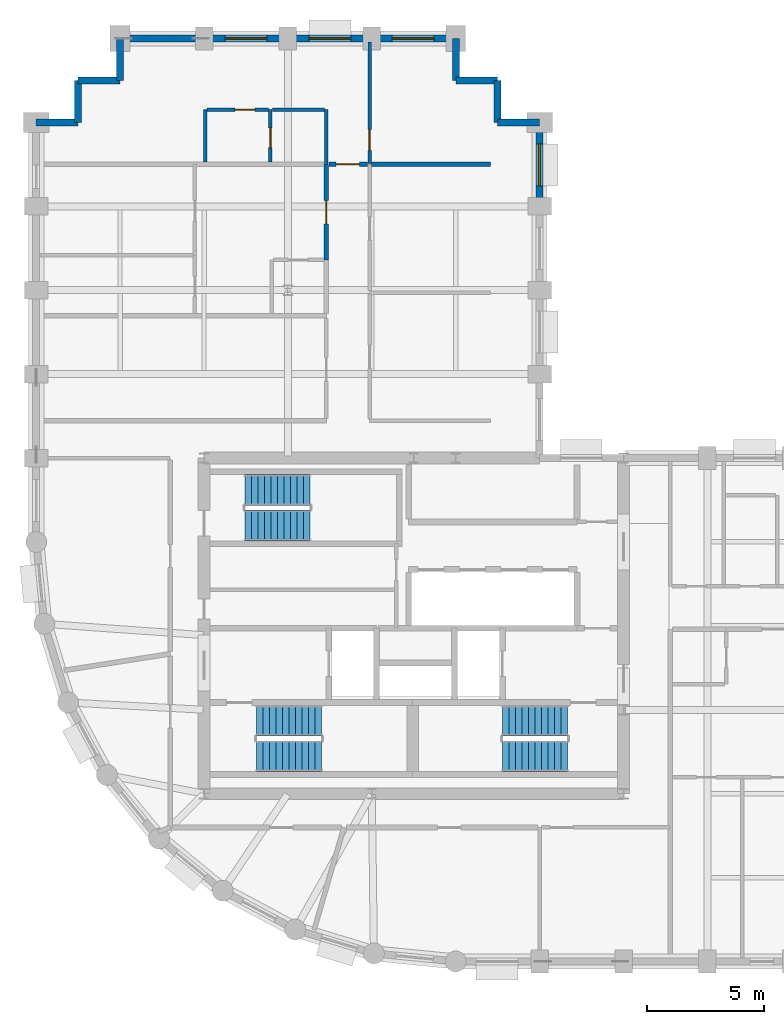
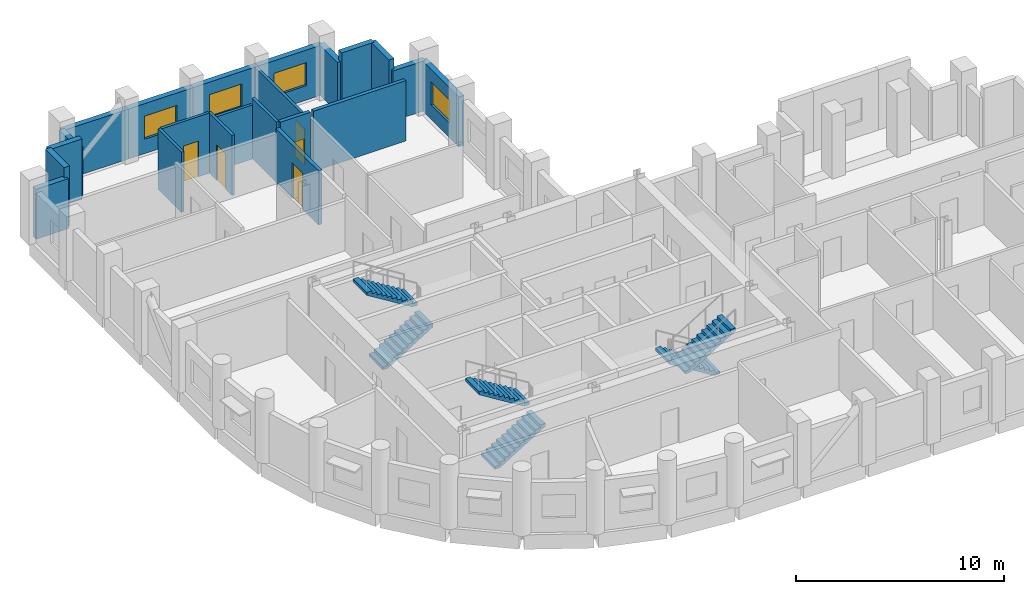
# One storey, part 7 of 9: 22 walls, 6 stair flights, 5 doors, 4 windows, 9 openings, 3 elements without a shape of their own.
"""IFC4 building model written with IfcOpenShell, lengths in metres."""

from ifc_helpers import new_model, si_unit, direction, frame, frame_2d, origin, place, context, subcontext, project, spatial, polyline, rectangle, outline, extrude, material, layer, layer_set, type_object, element, fill, aggregate, save


model = new_model("IFC4")

# Units and contexts
model_context = context("Model", 3, precision=1e-05, world=origin(), true_north=direction((0.0, 1.0)))
body_context = subcontext(model_context, "Body", "Model", "MODEL_VIEW")
ifc_project = project(units=[si_unit("LENGTHUNIT", "METRE"), si_unit("AREAUNIT", "SQUARE_METRE"), si_unit("VOLUMEUNIT", "CUBIC_METRE"), si_unit("PLANEANGLEUNIT", "RADIAN"), si_unit("MASSUNIT", "GRAM", prefix="KILO")], contexts=[model_context])

# Site, building, storey
site_placement = place(None, origin())
site = spatial("IfcSite", under=ifc_project, at=site_placement, CompositionType="ELEMENT")
building_placement = place(site_placement, origin())
building = spatial("IfcBuilding", under=site, at=building_placement, Name="Solnavia Interchange Tower", CompositionType="ELEMENT")
storey_placement = place(building_placement, frame((0.0, 0.0, 142.800048828125)))
storey = spatial("IfcBuildingStorey", under=building, at=storey_placement, Name="L35", CompositionType="ELEMENT", Elevation=142.800048828125)

# Wall, opening, door
ifc_material_1 = material(Name="Gypsum Acoustic Twin-Stud & Mineral Wool", Category="gypsum")
ifc_layer_1 = layer(ifc_material_1, 0.199951171875)
ifc_layer_set_1 = layer_set([ifc_layer_1], Name="Gypsum Acoustic Twin-Stud & Mineral Wool")
wall_type_1 = type_object("IfcWallType", Name="Wall-ApartmentParty-200", PredefinedType="PARTITIONING", material=ifc_layer_set_1)
wall_1_placement = place(storey_placement, frame((19.64990234375, 33.699951171875, 0.0), z_axis=(0.0, 0.0, 1.0), x_axis=(0.0, 1.0, 0.0)))
wall_1 = element("IfcWall", 1, at=wall_1_placement, inside=storey, type_object=wall_type_1, Name="PTW-L35-48 Interior partition wall", PredefinedType="PARTITIONING", context=body_context, shape_type="SweptSolid", body=[
    extrude(rectangle(XDim=4.10009765625, YDim=0.199951171875, at=frame_2d((2.050048828125, 0.0))), origin(), (0.0, 0.0, 1.0), 3.169921875),
])
opening_1_placement = place(wall_1_placement, frame((1.550048828125, 0.0, 0.0)))
opening_1 = element("IfcOpeningElement", 2, at=opening_1_placement, cuts=wall_1, Name="Opening DR-06", PredefinedType="OPENING", context=body_context, shape_type="SweptSolid", body=[
    extrude(rectangle(XDim=1.0, YDim=2.10009765625, at=frame_2d((0.5, 1.050048828125))), frame((0.0, 0.10986328125, 0.0), z_axis=(0.0, -1.0, 0.0), x_axis=(1.0, 0.0, 0.0)), (0.0, 0.0, 1.0), 0.219970703125),
])
ifc_material_2 = material(Name="Engineered Timber Acoustic Fire Door", Category="wood")
door_type_1 = type_object("IfcDoorType", Name="Door-FlatEntry-1000x2100", OperationType="SINGLE_SWING_LEFT", PredefinedType="DOOR", material=ifc_material_2)
door_1_placement = place(opening_1_placement, origin())
door_1 = element("IfcDoor", 3, at=door_1_placement, inside=storey, type_object=door_type_1, Name="DR-L35-23 Interior room door", OperationType="SINGLE_SWING_LEFT", OverallHeight=2.10009765625, OverallWidth=1.0, PredefinedType="DOOR", context=body_context, shape_type="SweptSolid", body=[
    extrude(rectangle(XDim=1.0, YDim=2.10009765625, at=frame_2d((0.5, 1.050048828125))), frame((0.0, 0.02490234375, 0.0), z_axis=(0.0, -1.0, 0.0), x_axis=(1.0, 0.0, 0.0)), (0.0, 0.0, 1.0), 0.050048828125),
])
fill(opening_1, door_1)

# Wall
wall_2_placement = place(storey_placement, frame((21.5791015625, 37.800048828125, 0.0), z_axis=(0.0, 0.0, 1.0), x_axis=(1.0, 0.0, 0.0)))
element("IfcWall", 4, at=wall_2_placement, inside=storey, type_object=wall_type_1, Name="PTW-L35-57 Interior partition wall", PredefinedType="PARTITIONING", context=body_context, shape_type="SweptSolid", body=[
    extrude(rectangle(XDim=5.120849609375, YDim=0.199951171875, at=frame_2d((2.560546875, 0.0))), origin(), (0.0, 0.0, 1.0), 3.534912109375),
])

# Wall, opening, door
wall_3_placement = place(storey_placement, frame((19.75390625, 37.800048828125, 0.0), z_axis=(0.0, 0.0, 1.0), x_axis=(1.0, 0.0, 0.0)))
wall_3 = element("IfcWall", 5, at=wall_3_placement, inside=storey, type_object=wall_type_1, Name="PTW-L35-58 Interior partition wall", PredefinedType="PARTITIONING", context=body_context, shape_type="SweptSolid", body=[
    extrude(rectangle(XDim=1.6669921875, YDim=0.199951171875, at=frame_2d((0.83349609375, 0.0))), origin(), (0.0, 0.0, 1.0), 3.534912109375),
])
opening_2_placement = place(wall_3_placement, frame((0.31396484375, 0.0, 0.0)))
opening_2 = element("IfcOpeningElement", 6, at=opening_2_placement, cuts=wall_3, Name="Opening DR-06", PredefinedType="OPENING", context=body_context, shape_type="SweptSolid", body=[
    extrude(rectangle(XDim=1.0, YDim=2.10009765625, at=frame_2d((0.5, 1.050048828125))), frame((0.0, 0.10986328125, 0.0), z_axis=(0.0, -1.0, 0.0), x_axis=(1.0, 0.0, 0.0)), (0.0, 0.0, 1.0), 0.219970703125),
])
door_2_placement = place(opening_2_placement, origin())
door_2 = element("IfcDoor", 7, at=door_2_placement, inside=storey, type_object=door_type_1, Name="DR-L35-28 Interior room door", OperationType="SINGLE_SWING_LEFT", OverallHeight=2.10009765625, OverallWidth=1.0, PredefinedType="DOOR", context=body_context, shape_type="SweptSolid", body=[
    extrude(rectangle(XDim=1.0, YDim=2.10009765625, at=frame_2d((0.5, 1.050048828125))), frame((0.0, 0.02490234375, 0.0), z_axis=(0.0, -1.0, 0.0), x_axis=(1.0, 0.0, 0.0)), (0.0, 0.0, 1.0), 0.050048828125),
])
fill(opening_2, door_2)

# Wall, opening, window
ifc_material_3 = material(Name="Concrete C40/50", Category="concrete")
ifc_layer_2 = layer(ifc_material_3, 0.300048828125)
ifc_layer_set_2 = layer_set([ifc_layer_2], Name="Concrete C40/50")
wall_type_2 = type_object("IfcWallType", Name="Wall-ExtSpandrel-300", PredefinedType="STANDARD", material=ifc_layer_set_2)
wall_4_placement = place(storey_placement, frame((28.800048828125, 39.60009765625, 0.0), z_axis=(0.0, 0.0, 1.0), x_axis=(0.0, -1.0, 0.0)))
wall_4 = element("IfcWall", 8, at=wall_4_placement, inside=storey, type_object=wall_type_2, Name="EXW-L35-33 Exterior precast spandrel wall", PredefinedType="STANDARD", context=body_context, shape_type="SweptSolid", body=[
    extrude(rectangle(XDim=3.60009765625, YDim=0.300048828125, at=frame_2d((1.800048828125, 0.0))), origin(), (0.0, 0.0, 1.0), 2.929931640625),
])
opening_3_placement = place(wall_4_placement, frame((0.925048828125, 0.0, 0.85009765625)))
opening_3 = element("IfcOpeningElement", 9, at=opening_3_placement, cuts=wall_4, Name="Opening WIN-02", PredefinedType="OPENING", context=body_context, shape_type="SweptSolid", body=[
    extrude(rectangle(XDim=1.800048828125, YDim=1.35009765625, at=frame_2d((0.89990234375, 0.675048828125))), frame((0.0, 0.16015625, 0.0), z_axis=(0.0, -1.0, 0.0), x_axis=(1.0, 0.0, 0.0)), (0.0, 0.0, 1.0), 0.320068359375),
])
ifc_material_4 = material(Name="Thermal-Break Aluminium & Low-E Glass", Category="aluminium")
window_type = type_object("IfcWindowType", Name="Window-Ribbon-1800x1350", PartitioningType="SINGLE_PANEL", PredefinedType="WINDOW", material=ifc_material_4)
window_1_placement = place(opening_3_placement, origin())
window_1 = element("IfcWindow", 10, at=window_1_placement, inside=storey, type_object=window_type, Name="WIN-L35-33 Facade ribbon window", OverallHeight=1.35009765625, OverallWidth=1.800048828125, PartitioningType="SINGLE_PANEL", PredefinedType="WINDOW", context=body_context, shape_type="SweptSolid", body=[
    extrude(rectangle(XDim=1.800048828125, YDim=1.35009765625, at=frame_2d((0.89990234375, 0.675048828125))), frame((0.0, 0.030029296875, 0.0), z_axis=(0.0, -1.0, 0.0), x_axis=(1.0, 0.0, 0.0)), (0.0, 0.0, 1.0), 0.06005859375),
])
fill(opening_3, window_1)

# Walls
wall_5_placement = place(storey_placement, frame((27.0, 39.60009765625, 0.0), z_axis=(0.0, 0.0, 1.0), x_axis=(1.0, 0.0, 0.0)))
element("IfcWall", 11, at=wall_5_placement, inside=storey, type_object=wall_type_2, Name="EXW-L35-34 Exterior precast spandrel wall", PredefinedType="STANDARD", context=body_context, shape_type="SweptSolid", body=[
    extrude(rectangle(XDim=1.800048828125, YDim=0.300048828125, at=frame_2d((0.89990234375, 0.0))), origin(), (0.0, 0.0, 1.0), 2.929931640625),
])
wall_6_placement = place(storey_placement, frame((27.0, 39.60009765625, 0.0), z_axis=(0.0, 0.0, 1.0), x_axis=(0.0, 1.0, 0.0)))
element("IfcWall", 12, at=wall_6_placement, inside=storey, type_object=wall_type_2, Name="EXW-L35-35 Exterior precast spandrel wall", PredefinedType="STANDARD", context=body_context, shape_type="SweptSolid", body=[
    extrude(rectangle(XDim=1.7998046875, YDim=0.300048828125, at=frame_2d((0.89990234375, 0.0))), origin(), (0.0, 0.0, 1.0), 3.534912109375),
])
wall_7_placement = place(storey_placement, frame((25.199951171875, 41.39990234375, 0.0), z_axis=(0.0, 0.0, 1.0), x_axis=(1.0, 0.0, 0.0)))
element("IfcWall", 13, at=wall_7_placement, inside=storey, type_object=wall_type_2, Name="EXW-L35-36 Exterior precast spandrel wall", PredefinedType="STANDARD", context=body_context, shape_type="SweptSolid", body=[
    extrude(rectangle(XDim=1.800048828125, YDim=0.300048828125, at=frame_2d((0.89990234375, 0.0))), origin(), (0.0, 0.0, 1.0), 3.534912109375),
])
wall_8_placement = place(storey_placement, frame((25.199951171875, 41.39990234375, 0.0), z_axis=(0.0, 0.0, 1.0), x_axis=(0.0, 1.0, 0.0)))
element("IfcWall", 14, at=wall_8_placement, inside=storey, type_object=wall_type_2, Name="EXW-L35-37 Exterior precast spandrel wall", PredefinedType="STANDARD", context=body_context, shape_type="SweptSolid", body=[
    extrude(rectangle(XDim=1.800048828125, YDim=0.300048828125, at=frame_2d((0.89990234375, 0.0))), origin(), (0.0, 0.0, 1.0), 2.929931640625),
])

# Wall, opening, window
wall_9_placement = place(storey_placement, frame((21.60009765625, 43.199951171875, 0.0), z_axis=(0.0, 0.0, 1.0), x_axis=(1.0, 0.0, 0.0)))
wall_9 = element("IfcWall", 15, at=wall_9_placement, inside=storey, type_object=wall_type_2, Name="EXW-L35-38 Exterior precast spandrel wall", PredefinedType="STANDARD", context=body_context, shape_type="SweptSolid", body=[
    extrude(rectangle(XDim=3.599853515625, YDim=0.300048828125, at=frame_2d((1.7998046875, 0.0))), origin(), (0.0, 0.0, 1.0), 2.929931640625),
])
opening_4_placement = place(wall_9_placement, frame((0.875, 0.0, 0.85009765625)))
opening_4 = element("IfcOpeningElement", 16, at=opening_4_placement, cuts=wall_9, Name="Opening WIN-02", PredefinedType="OPENING", context=body_context, shape_type="SweptSolid", body=[
    extrude(rectangle(XDim=1.800048828125, YDim=1.35009765625, at=frame_2d((0.89990234375, 0.675048828125))), frame((0.0, 0.16015625, 0.0), z_axis=(0.0, -1.0, 0.0), x_axis=(1.0, 0.0, 0.0)), (0.0, 0.0, 1.0), 0.320068359375),
])
window_2_placement = place(opening_4_placement, origin())
window_2 = element("IfcWindow", 17, at=window_2_placement, inside=storey, type_object=window_type, Name="WIN-L35-38 Facade ribbon window", OverallHeight=1.35009765625, OverallWidth=1.800048828125, PartitioningType="SINGLE_PANEL", PredefinedType="WINDOW", context=body_context, shape_type="SweptSolid", body=[
    extrude(rectangle(XDim=1.800048828125, YDim=1.35009765625, at=frame_2d((0.89990234375, 0.675048828125))), frame((0.0, 0.030029296875, 0.0), z_axis=(0.0, -1.0, 0.0), x_axis=(1.0, 0.0, 0.0)), (0.0, 0.0, 1.0), 0.06005859375),
])
fill(opening_4, window_2)

wall_10_placement = place(storey_placement, frame((18.0, 43.199951171875, 0.0), z_axis=(0.0, 0.0, 1.0), x_axis=(1.0, 0.0, 0.0)))
wall_10 = element("IfcWall", 18, at=wall_10_placement, inside=storey, type_object=wall_type_2, Name="EXW-L35-39 Exterior precast spandrel wall", PredefinedType="STANDARD", context=body_context, shape_type="SweptSolid", body=[
    extrude(rectangle(XDim=3.60009765625, YDim=0.300048828125, at=frame_2d((1.800048828125, 0.0))), origin(), (0.0, 0.0, 1.0), 2.929931640625),
])
opening_5_placement = place(wall_10_placement, frame((0.89990234375, 0.0, 0.85009765625)))
opening_5 = element("IfcOpeningElement", 19, at=opening_5_placement, cuts=wall_10, Name="Opening WIN-02", PredefinedType="OPENING", context=body_context, shape_type="SweptSolid", body=[
    extrude(rectangle(XDim=1.800048828125, YDim=1.35009765625, at=frame_2d((0.89990234375, 0.675048828125))), frame((0.0, 0.16015625, 0.0), z_axis=(0.0, -1.0, 0.0), x_axis=(1.0, 0.0, 0.0)), (0.0, 0.0, 1.0), 0.320068359375),
])
window_3_placement = place(opening_5_placement, origin())
window_3 = element("IfcWindow", 20, at=window_3_placement, inside=storey, type_object=window_type, Name="WIN-L35-39 Facade ribbon window", OverallHeight=1.35009765625, OverallWidth=1.800048828125, PartitioningType="SINGLE_PANEL", PredefinedType="WINDOW", context=body_context, shape_type="SweptSolid", body=[
    extrude(rectangle(XDim=1.800048828125, YDim=1.35009765625, at=frame_2d((0.89990234375, 0.675048828125))), frame((0.0, 0.030029296875, 0.0), z_axis=(0.0, -1.0, 0.0), x_axis=(1.0, 0.0, 0.0)), (0.0, 0.0, 1.0), 0.06005859375),
])
fill(opening_5, window_3)

wall_11_placement = place(storey_placement, frame((14.39990234375, 43.199951171875, 0.0), z_axis=(0.0, 0.0, 1.0), x_axis=(1.0, 0.0, 0.0)))
wall_11 = element("IfcWall", 21, at=wall_11_placement, inside=storey, type_object=wall_type_2, Name="EXW-L35-40 Exterior precast spandrel wall", PredefinedType="STANDARD", context=body_context, shape_type="SweptSolid", body=[
    extrude(rectangle(XDim=3.60009765625, YDim=0.300048828125, at=frame_2d((1.800048828125, 0.0))), origin(), (0.0, 0.0, 1.0), 2.929931640625),
])
opening_6_placement = place(wall_11_placement, frame((0.89990234375, 0.0, 0.85009765625)))
opening_6 = element("IfcOpeningElement", 22, at=opening_6_placement, cuts=wall_11, Name="Opening WIN-02", PredefinedType="OPENING", context=body_context, shape_type="SweptSolid", body=[
    extrude(rectangle(XDim=1.800048828125, YDim=1.35009765625, at=frame_2d((0.89990234375, 0.675048828125))), frame((0.0, 0.16015625, 0.0), z_axis=(0.0, -1.0, 0.0), x_axis=(1.0, 0.0, 0.0)), (0.0, 0.0, 1.0), 0.320068359375),
])
window_4_placement = place(opening_6_placement, origin())
window_4 = element("IfcWindow", 23, at=window_4_placement, inside=storey, type_object=window_type, Name="WIN-L35-40 Facade ribbon window", OverallHeight=1.35009765625, OverallWidth=1.800048828125, PartitioningType="SINGLE_PANEL", PredefinedType="WINDOW", context=body_context, shape_type="SweptSolid", body=[
    extrude(rectangle(XDim=1.800048828125, YDim=1.35009765625, at=frame_2d((0.89990234375, 0.675048828125))), frame((0.0, 0.030029296875, 0.0), z_axis=(0.0, -1.0, 0.0), x_axis=(1.0, 0.0, 0.0)), (0.0, 0.0, 1.0), 0.06005859375),
])
fill(opening_6, window_4)

# Walls
wall_12_placement = place(storey_placement, frame((10.800048828125, 43.199951171875, 0.0), z_axis=(0.0, 0.0, 1.0), x_axis=(1.0, 0.0, 0.0)))
element("IfcWall", 24, at=wall_12_placement, inside=storey, type_object=wall_type_2, Name="EXW-L35-41 Exterior precast spandrel wall", PredefinedType="STANDARD", context=body_context, shape_type="SweptSolid", body=[
    extrude(rectangle(XDim=3.599853515625, YDim=0.300048828125, at=frame_2d((1.7998046875, 0.0))), origin(), (0.0, 0.0, 1.0), 2.929931640625),
])
wall_13_placement = place(storey_placement, frame((10.800048828125, 41.39990234375, 0.0), z_axis=(0.0, 0.0, 1.0), x_axis=(0.0, 1.0, 0.0)))
element("IfcWall", 25, at=wall_13_placement, inside=storey, type_object=wall_type_2, Name="EXW-L35-42 Exterior precast spandrel wall", PredefinedType="STANDARD", context=body_context, shape_type="SweptSolid", body=[
    extrude(rectangle(XDim=1.800048828125, YDim=0.300048828125, at=frame_2d((0.89990234375, 0.0))), origin(), (0.0, 0.0, 1.0), 2.929931640625),
])
wall_14_placement = place(storey_placement, frame((9.0, 41.39990234375, 0.0), z_axis=(0.0, 0.0, 1.0), x_axis=(1.0, 0.0, 0.0)))
element("IfcWall", 26, at=wall_14_placement, inside=storey, type_object=wall_type_2, Name="EXW-L35-43 Exterior precast spandrel wall", PredefinedType="STANDARD", context=body_context, shape_type="SweptSolid", body=[
    extrude(rectangle(XDim=1.800048828125, YDim=0.300048828125, at=frame_2d((0.89990234375, 0.0))), origin(), (0.0, 0.0, 1.0), 3.534912109375),
])
wall_15_placement = place(storey_placement, frame((9.0, 39.60009765625, 0.0), z_axis=(0.0, 0.0, 1.0), x_axis=(0.0, 1.0, 0.0)))
element("IfcWall", 27, at=wall_15_placement, inside=storey, type_object=wall_type_2, Name="EXW-L35-44 Exterior precast spandrel wall", PredefinedType="STANDARD", context=body_context, shape_type="SweptSolid", body=[
    extrude(rectangle(XDim=1.7998046875, YDim=0.300048828125, at=frame_2d((0.89990234375, 0.0))), origin(), (0.0, 0.0, 1.0), 3.534912109375),
])
wall_16_placement = place(storey_placement, frame((7.199951171875, 39.60009765625, 0.0), z_axis=(0.0, 0.0, 1.0), x_axis=(1.0, 0.0, 0.0)))
element("IfcWall", 28, at=wall_16_placement, inside=storey, type_object=wall_type_2, Name="EXW-L35-45 Exterior precast spandrel wall", PredefinedType="STANDARD", context=body_context, shape_type="SweptSolid", body=[
    extrude(rectangle(XDim=1.800048828125, YDim=0.300048828125, at=frame_2d((0.89990234375, 0.0))), origin(), (0.0, 0.0, 1.0), 2.929931640625),
])

# Wall, opening, door
ifc_material_5 = material(Name="Gypsum Plasterboard & Steel Stud", Category="steel")
ifc_layer_3 = layer(ifc_material_5, 0.14990234375)
ifc_layer_set_3 = layer_set([ifc_layer_3], Name="Gypsum Plasterboard & Steel Stud")
wall_type_3 = type_object("IfcWallType", Name="Wall-Partition-150", PredefinedType="PARTITIONING", material=ifc_layer_set_3)
wall_17_placement = place(storey_placement, frame((21.5, 37.84619140625, 0.0), z_axis=(0.0, 0.0, 1.0), x_axis=(0.0, 1.0, 0.0)))
wall_17 = element("IfcWall", 29, at=wall_17_placement, inside=storey, type_object=wall_type_3, Name="PTW-L35-62 Interior partition wall", PredefinedType="PARTITIONING", context=body_context, shape_type="SweptSolid", body=[
    extrude(rectangle(XDim=5.19970703125, YDim=0.14990234375, at=frame_2d((2.599853515625, 0.0))), origin(), (0.0, 0.0, 1.0), 2.929931640625),
])
opening_7_placement = place(wall_17_placement, frame((0.550048828125, 0.0, 0.0)))
opening_7 = element("IfcOpeningElement", 30, at=opening_7_placement, cuts=wall_17, Name="Opening DR-09", PredefinedType="OPENING", context=body_context, shape_type="SweptSolid", body=[
    extrude(rectangle(XDim=0.89990234375, YDim=2.10009765625, at=frame_2d((0.449951171875, 1.050048828125))), frame((0.0, 0.0849609375, 0.0), z_axis=(0.0, -1.0, 0.0), x_axis=(1.0, 0.0, 0.0)), (0.0, 0.0, 1.0), 0.169921875),
])
ifc_material_6 = material(Name="Engineered Oak Veneer Door", Category="wood")
door_type_2 = type_object("IfcDoorType", Name="Door-Internal-900x2100", OperationType="SINGLE_SWING_LEFT", PredefinedType="DOOR", material=ifc_material_6)
door_3_placement = place(opening_7_placement, origin())
door_3 = element("IfcDoor", 31, at=door_3_placement, inside=storey, type_object=door_type_2, Name="DR-L35-30 Interior room door", OperationType="SINGLE_SWING_RIGHT", OverallHeight=2.10009765625, OverallWidth=0.89990234375, PredefinedType="DOOR", context=body_context, shape_type="SweptSolid", body=[
    extrude(rectangle(XDim=0.89990234375, YDim=2.10009765625, at=frame_2d((0.449951171875, 1.050048828125))), frame((0.0, 0.02490234375, 0.0), z_axis=(0.0, -1.0, 0.0), x_axis=(1.0, 0.0, 0.0)), (0.0, 0.0, 1.0), 0.050048828125),
])
fill(opening_7, door_3)

# Wall
ifc_material_7 = material(Name="Moisture-Resistant Gypsum & Steel Stud", Category="steel")
ifc_layer_4 = layer(ifc_material_7, 0.14990234375)
ifc_layer_set_4 = layer_set([ifc_layer_4], Name="Moisture-Resistant Gypsum & Steel Stud")
wall_type_4 = type_object("IfcWallType", Name="Wall-WetRoom-150", PredefinedType="PARTITIONING", material=ifc_layer_set_4)
wall_18_placement = place(storey_placement, frame((19.64990234375, 37.800048828125, 0.0), z_axis=(0.0, 0.0, 1.0), x_axis=(0.0, 1.0, 0.0)))
element("IfcWall", 32, at=wall_18_placement, inside=storey, type_object=wall_type_4, Name="PTW-L35-59 Interior partition wall", PredefinedType="PARTITIONING", context=body_context, shape_type="SweptSolid", body=[
    extrude(rectangle(XDim=2.349853515625, YDim=0.14990234375, at=frame_2d((1.1748046875, 0.0))), origin(), (0.0, 0.0, 1.0), 3.534912109375),
])

# Wall, opening, door
wall_19_placement = place(storey_placement, frame((17.25, 37.904052734375, 0.0), z_axis=(0.0, 0.0, 1.0), x_axis=(0.0, 1.0, 0.0)))
wall_19 = element("IfcWall", 33, at=wall_19_placement, inside=storey, type_object=wall_type_4, Name="PTW-L35-60 Interior partition wall", PredefinedType="PARTITIONING", context=body_context, shape_type="SweptSolid", body=[
    extrude(rectangle(XDim=2.245849609375, YDim=0.14990234375, at=frame_2d((1.123046875, 0.0))), origin(), (0.0, 0.0, 1.0), 3.534912109375),
])
opening_8_placement = place(wall_19_placement, frame((0.615966796875, 0.0, 0.0)))
opening_8 = element("IfcOpeningElement", 34, at=opening_8_placement, cuts=wall_19, Name="Opening DR-10", PredefinedType="OPENING", context=body_context, shape_type="SweptSolid", body=[
    extrude(rectangle(XDim=0.85009765625, YDim=2.10009765625, at=frame_2d((0.425048828125, 1.050048828125))), frame((0.0, 0.0849609375, 0.0), z_axis=(0.0, -1.0, 0.0), x_axis=(1.0, 0.0, 0.0)), (0.0, 0.0, 1.0), 0.169921875),
])
ifc_material_8 = material(Name="Moisture-Resistant Timber Door", Category="wood")
door_type_3 = type_object("IfcDoorType", Name="Door-Bathroom-850x2100", OperationType="SINGLE_SWING_RIGHT", PredefinedType="DOOR", material=ifc_material_8)
door_4_placement = place(opening_8_placement, origin())
door_4 = element("IfcDoor", 35, at=door_4_placement, inside=storey, type_object=door_type_3, Name="DR-L35-29 Interior room door", OperationType="SINGLE_SWING_LEFT", OverallHeight=2.10009765625, OverallWidth=0.85009765625, PredefinedType="DOOR", context=body_context, shape_type="SweptSolid", body=[
    extrude(rectangle(XDim=0.85009765625, YDim=2.10009765625, at=frame_2d((0.425048828125, 1.050048828125))), frame((0.0, 0.02490234375, 0.0), z_axis=(0.0, -1.0, 0.0), x_axis=(1.0, 0.0, 0.0)), (0.0, 0.0, 1.0), 0.050048828125),
])
fill(opening_8, door_4)

# Walls
wall_20_placement = place(storey_placement, frame((17.3291015625, 40.14990234375, 0.0), z_axis=(0.0, 0.0, 1.0), x_axis=(1.0, 0.0, 0.0)))
element("IfcWall", 36, at=wall_20_placement, inside=storey, type_object=wall_type_4, Name="PTW-L35-61 Interior partition wall", PredefinedType="PARTITIONING", context=body_context, shape_type="SweptSolid", body=[
    extrude(rectangle(XDim=2.241943359375, YDim=0.14990234375, at=frame_2d((1.12109375, 0.0))), origin(), (0.0, 0.0, 1.0), 3.169921875),
])
wall_21_placement = place(storey_placement, frame((14.449951171875, 37.904052734375, 0.0), z_axis=(0.0, 0.0, 1.0), x_axis=(0.0, 1.0, 0.0)))
element("IfcWall", 37, at=wall_21_placement, inside=storey, type_object=wall_type_4, Name="PTW-L35-63 Interior partition wall", PredefinedType="PARTITIONING", context=body_context, shape_type="SweptSolid", body=[
    extrude(rectangle(XDim=2.245849609375, YDim=0.14990234375, at=frame_2d((1.123046875, 0.0))), origin(), (0.0, 0.0, 1.0), 3.534912109375),
])

# Wall, opening, door
wall_22_placement = place(storey_placement, frame((14.529052734375, 40.14990234375, 0.0), z_axis=(0.0, 0.0, 1.0), x_axis=(1.0, 0.0, 0.0)))
wall_22 = element("IfcWall", 38, at=wall_22_placement, inside=storey, type_object=wall_type_4, Name="PTW-L35-64 Interior partition wall", PredefinedType="PARTITIONING", context=body_context, shape_type="SweptSolid", body=[
    extrude(rectangle(XDim=2.641845703125, YDim=0.14990234375, at=frame_2d((1.32080078125, 0.0))), origin(), (0.0, 0.0, 1.0), 3.534912109375),
])
opening_9_placement = place(wall_22_placement, frame((1.2041015625, 0.0, 0.0)))
opening_9 = element("IfcOpeningElement", 39, at=opening_9_placement, cuts=wall_22, Name="Opening DR-10", PredefinedType="OPENING", context=body_context, shape_type="SweptSolid", body=[
    extrude(rectangle(XDim=0.85009765625, YDim=2.10009765625, at=frame_2d((0.425048828125, 1.050048828125))), frame((0.0, 0.0849609375, 0.0), z_axis=(0.0, -1.0, 0.0), x_axis=(1.0, 0.0, 0.0)), (0.0, 0.0, 1.0), 0.169921875),
])
door_5_placement = place(opening_9_placement, origin())
door_5 = element("IfcDoor", 40, at=door_5_placement, inside=storey, type_object=door_type_3, Name="DR-L35-31 Interior room door", OperationType="SINGLE_SWING_LEFT", OverallHeight=2.10009765625, OverallWidth=0.85009765625, PredefinedType="DOOR", context=body_context, shape_type="SweptSolid", body=[
    extrude(rectangle(XDim=0.85009765625, YDim=2.10009765625, at=frame_2d((0.425048828125, 1.050048828125))), frame((0.0, 0.02490234375, 0.0), z_axis=(0.0, -1.0, 0.0), x_axis=(1.0, 0.0, 0.0)), (0.0, 0.0, 1.0), 0.050048828125),
])
fill(opening_9, door_5)

# Stair, stair flights
stair_type = type_object("IfcStairType", Name="Stair-Dogleg-RC", PredefinedType="HALF_TURN_STAIR", material=ifc_material_3)
stair_1_placement = place(storey_placement, origin())
stair_1 = element("IfcStair", 41, at=stair_1_placement, inside=storey, type_object=stair_type, Name="L35 Core exit stair 1", PredefinedType="HALF_TURN_STAIR")
stair_flight_type = type_object("IfcStairFlightType", Name="StairFlight-RC-150", PredefinedType="STRAIGHT", material=ifc_material_3)
stair_flight_1_placement = place(storey_placement, frame((16.64990234375, 12.409912109375, 0.0), z_axis=(0.0, 0.0, 1.0), x_axis=(1.0, 0.0, 0.0)))
stair_flight_1 = element("IfcStairFlight", 42, at=stair_flight_1_placement, type_object=stair_flight_type, Name="ST-1 flight 1", NumberOfRisers=11, NumberOfTreads=10, PredefinedType="STRAIGHT", RiserHeight=0.172727273, TreadLength=0.28, context=body_context, shape_type="SweptSolid", body=[
    extrude(outline(polyline([(0.0, 0.0), (0.0, 0.172607421875), (0.280029296875, 0.172607421875), (0.280029296875, 0.345458984375), (0.56005859375, 0.345458984375), (0.56005859375, 0.51806640625), (0.840087890625, 0.51806640625), (0.840087890625, 0.69091796875), (1.1201171875, 0.69091796875), (1.1201171875, 0.863525390625), (1.39990234375, 0.863525390625), (1.39990234375, 1.036376953125), (1.679931640625, 1.036376953125), (1.679931640625, 1.208984375), (1.9599609375, 1.208984375), (1.9599609375, 1.3818359375), (2.239990234375, 1.3818359375), (2.239990234375, 1.554443359375), (2.52001953125, 1.554443359375), (2.52001953125, 1.727294921875), (2.800048828125, 1.727294921875), (2.800048828125, 1.89990234375), (2.800048828125, 1.551025390625), (0.285400390625, 0.0), (0.0, 0.0)])), frame((0.0, 0.66015625, 0.0), z_axis=(0.0, -1.0, 0.0), x_axis=(1.0, 0.0, 0.0)), (0.0, 0.0, 1.0), 1.320068359375),
])
stair_flight_2_placement = place(storey_placement, frame((19.449951171875, 13.929931640625, 1.89990234375), z_axis=(0.0, 0.0, 1.0), x_axis=(-1.0, 0.0, 0.0)))
stair_flight_2 = element("IfcStairFlight", 43, at=stair_flight_2_placement, type_object=stair_flight_type, Name="ST-1 flight 2", NumberOfRisers=11, NumberOfTreads=10, PredefinedType="STRAIGHT", RiserHeight=0.172727273, TreadLength=0.28, context=body_context, shape_type="SweptSolid", body=[
    extrude(outline(polyline([(0.0, 0.0), (0.0, 0.172607421875), (0.280029296875, 0.172607421875), (0.280029296875, 0.345458984375), (0.56005859375, 0.345458984375), (0.56005859375, 0.51806640625), (0.840087890625, 0.51806640625), (0.840087890625, 0.69091796875), (1.1201171875, 0.69091796875), (1.1201171875, 0.863525390625), (1.39990234375, 0.863525390625), (1.39990234375, 1.036376953125), (1.679931640625, 1.036376953125), (1.679931640625, 1.208984375), (1.9599609375, 1.208984375), (1.9599609375, 1.3818359375), (2.239990234375, 1.3818359375), (2.239990234375, 1.554443359375), (2.52001953125, 1.554443359375), (2.52001953125, 1.727294921875), (2.800048828125, 1.727294921875), (2.800048828125, 1.89990234375), (2.800048828125, 1.551025390625), (0.285400390625, 0.0), (0.0, 0.0)])), frame((0.0, 0.66015625, 0.0), z_axis=(0.0, -1.0, 0.0), x_axis=(1.0, 0.0, 0.0)), (0.0, 0.0, 1.0), 1.320068359375),
])
aggregate(stair_1, [stair_flight_1, stair_flight_2])

stair_2_placement = place(storey_placement, origin())
stair_2 = element("IfcStair", 44, at=stair_2_placement, inside=storey, type_object=stair_type, Name="L35 Core exit stair 2", PredefinedType="HALF_TURN_STAIR")
stair_flight_3_placement = place(storey_placement, frame((30.0, 13.929931640625, 0.0), z_axis=(0.0, 0.0, 1.0), x_axis=(-1.0, 0.0, 0.0)))
stair_flight_3 = element("IfcStairFlight", 45, at=stair_flight_3_placement, type_object=stair_flight_type, Name="ST-2 flight 1", NumberOfRisers=11, NumberOfTreads=10, PredefinedType="STRAIGHT", RiserHeight=0.172727273, TreadLength=0.28, context=body_context, shape_type="SweptSolid", body=[
    extrude(outline(polyline([(0.0, 0.0), (0.0, 0.172607421875), (0.280029296875, 0.172607421875), (0.280029296875, 0.345458984375), (0.56005859375, 0.345458984375), (0.56005859375, 0.51806640625), (0.840087890625, 0.51806640625), (0.840087890625, 0.69091796875), (1.1201171875, 0.69091796875), (1.1201171875, 0.863525390625), (1.39990234375, 0.863525390625), (1.39990234375, 1.036376953125), (1.679931640625, 1.036376953125), (1.679931640625, 1.208984375), (1.9599609375, 1.208984375), (1.9599609375, 1.3818359375), (2.239990234375, 1.3818359375), (2.239990234375, 1.554443359375), (2.52001953125, 1.554443359375), (2.52001953125, 1.727294921875), (2.800048828125, 1.727294921875), (2.800048828125, 1.89990234375), (2.800048828125, 1.551025390625), (0.285400390625, 0.0), (0.0, 0.0)])), frame((0.0, 0.66015625, 0.0), z_axis=(0.0, -1.0, 0.0), x_axis=(1.0, 0.0, 0.0)), (0.0, 0.0, 1.0), 1.320068359375),
])
stair_flight_4_placement = place(storey_placement, frame((27.199951171875, 12.409912109375, 1.89990234375), z_axis=(0.0, 0.0, 1.0), x_axis=(1.0, 0.0, 0.0)))
stair_flight_4 = element("IfcStairFlight", 46, at=stair_flight_4_placement, type_object=stair_flight_type, Name="ST-2 flight 2", NumberOfRisers=11, NumberOfTreads=10, PredefinedType="STRAIGHT", RiserHeight=0.172727273, TreadLength=0.28, context=body_context, shape_type="SweptSolid", body=[
    extrude(outline(polyline([(0.0, 0.0), (0.0, 0.172607421875), (0.280029296875, 0.172607421875), (0.280029296875, 0.345458984375), (0.56005859375, 0.345458984375), (0.56005859375, 0.51806640625), (0.840087890625, 0.51806640625), (0.840087890625, 0.69091796875), (1.1201171875, 0.69091796875), (1.1201171875, 0.863525390625), (1.39990234375, 0.863525390625), (1.39990234375, 1.036376953125), (1.679931640625, 1.036376953125), (1.679931640625, 1.208984375), (1.9599609375, 1.208984375), (1.9599609375, 1.3818359375), (2.239990234375, 1.3818359375), (2.239990234375, 1.554443359375), (2.52001953125, 1.554443359375), (2.52001953125, 1.727294921875), (2.800048828125, 1.727294921875), (2.800048828125, 1.89990234375), (2.800048828125, 1.551025390625), (0.285400390625, 0.0), (0.0, 0.0)])), frame((0.0, 0.66015625, 0.0), z_axis=(0.0, -1.0, 0.0), x_axis=(1.0, 0.0, 0.0)), (0.0, 0.0, 1.0), 1.320068359375),
])
aggregate(stair_2, [stair_flight_3, stair_flight_4])

stair_3_placement = place(storey_placement, origin())
stair_3 = element("IfcStair", 47, at=stair_3_placement, inside=storey, type_object=stair_type, Name="L35 Core exit stair 3", PredefinedType="HALF_TURN_STAIR")
stair_flight_5_placement = place(storey_placement, frame((16.14990234375, 22.31005859375, 0.0), z_axis=(0.0, 0.0, 1.0), x_axis=(1.0, 0.0, 0.0)))
stair_flight_5 = element("IfcStairFlight", 48, at=stair_flight_5_placement, type_object=stair_flight_type, Name="ST-3 flight 1", NumberOfRisers=11, NumberOfTreads=10, PredefinedType="STRAIGHT", RiserHeight=0.172727273, TreadLength=0.28, context=body_context, shape_type="SweptSolid", body=[
    extrude(outline(polyline([(0.0, 0.0), (0.0, 0.172607421875), (0.280029296875, 0.172607421875), (0.280029296875, 0.345458984375), (0.56005859375, 0.345458984375), (0.56005859375, 0.51806640625), (0.840087890625, 0.51806640625), (0.840087890625, 0.69091796875), (1.1201171875, 0.69091796875), (1.1201171875, 0.863525390625), (1.39990234375, 0.863525390625), (1.39990234375, 1.036376953125), (1.679931640625, 1.036376953125), (1.679931640625, 1.208984375), (1.9599609375, 1.208984375), (1.9599609375, 1.3818359375), (2.239990234375, 1.3818359375), (2.239990234375, 1.554443359375), (2.52001953125, 1.554443359375), (2.52001953125, 1.727294921875), (2.800048828125, 1.727294921875), (2.800048828125, 1.89990234375), (2.800048828125, 1.551025390625), (0.285400390625, 0.0), (0.0, 0.0)])), frame((0.0, 0.66015625, 0.0), z_axis=(0.0, -1.0, 0.0), x_axis=(1.0, 0.0, 0.0)), (0.0, 0.0, 1.0), 1.320068359375),
])
stair_flight_6_placement = place(storey_placement, frame((18.949951171875, 23.830078125, 1.89990234375), z_axis=(0.0, 0.0, 1.0), x_axis=(-1.0, 0.0, 0.0)))
stair_flight_6 = element("IfcStairFlight", 49, at=stair_flight_6_placement, type_object=stair_flight_type, Name="ST-3 flight 2", NumberOfRisers=11, NumberOfTreads=10, PredefinedType="STRAIGHT", RiserHeight=0.172727273, TreadLength=0.28, context=body_context, shape_type="SweptSolid", body=[
    extrude(outline(polyline([(0.0, 0.0), (0.0, 0.172607421875), (0.280029296875, 0.172607421875), (0.280029296875, 0.345458984375), (0.56005859375, 0.345458984375), (0.56005859375, 0.51806640625), (0.840087890625, 0.51806640625), (0.840087890625, 0.69091796875), (1.1201171875, 0.69091796875), (1.1201171875, 0.863525390625), (1.39990234375, 0.863525390625), (1.39990234375, 1.036376953125), (1.679931640625, 1.036376953125), (1.679931640625, 1.208984375), (1.9599609375, 1.208984375), (1.9599609375, 1.3818359375), (2.239990234375, 1.3818359375), (2.239990234375, 1.554443359375), (2.52001953125, 1.554443359375), (2.52001953125, 1.727294921875), (2.800048828125, 1.727294921875), (2.800048828125, 1.89990234375), (2.800048828125, 1.551025390625), (0.285400390625, 0.0), (0.0, 0.0)])), frame((0.0, 0.66015625, 0.0), z_axis=(0.0, -1.0, 0.0), x_axis=(1.0, 0.0, 0.0)), (0.0, 0.0, 1.0), 1.320068359375),
])
aggregate(stair_3, [stair_flight_5, stair_flight_6])

save(model, "model.ifc")
